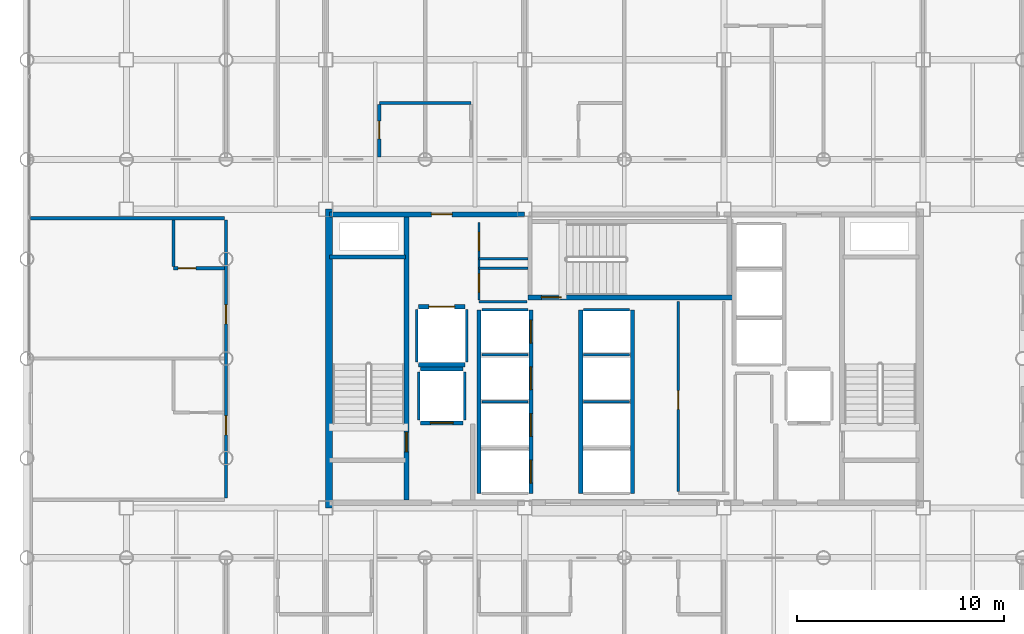
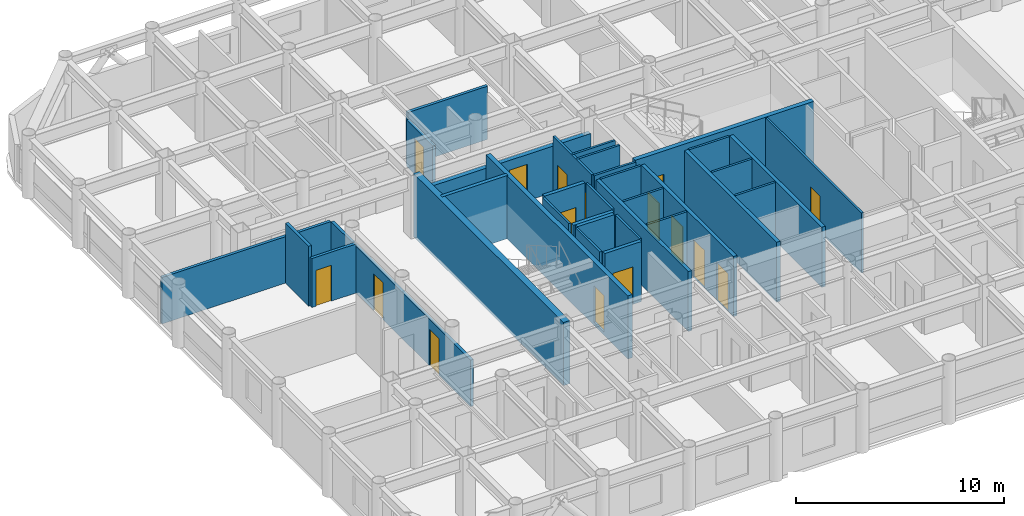
# One storey, part 18 of 22: 34 walls, 16 doors, 16 openings.
"""IFC4 building model written with IfcOpenShell, lengths in metres."""

from ifc_helpers import new_model, si_unit, direction, frame, frame_2d, origin, place, context, subcontext, project, spatial, rectangle, extrude, material, layer, layer_set, type_object, element, fill, save


model = new_model("IFC4")

# Units and contexts
model_context = context("Model", 3, precision=1e-05, world=origin(), true_north=direction((0.0, 1.0)))
body_context = subcontext(model_context, "Body", "Model", "MODEL_VIEW")
ifc_project = project(units=[si_unit("LENGTHUNIT", "METRE"), si_unit("AREAUNIT", "SQUARE_METRE"), si_unit("VOLUMEUNIT", "CUBIC_METRE"), si_unit("PLANEANGLEUNIT", "RADIAN"), si_unit("MASSUNIT", "GRAM", prefix="KILO")], contexts=[model_context])

# Site, building, storey
site_placement = place(None, origin())
site = spatial("IfcSite", under=ifc_project, at=site_placement, CompositionType="ELEMENT")
building_placement = place(site_placement, origin())
building = spatial("IfcBuilding", under=site, at=building_placement, Name="Kallvorn Hotel Tower", CompositionType="ELEMENT")
storey_placement = place(building_placement, frame((0.0, 0.0, 106.300048828125)))
storey = spatial("IfcBuildingStorey", under=building, at=storey_placement, Name="L25", CompositionType="ELEMENT", Elevation=106.300048828125)

# Wall
ifc_material_1 = material(Name="Concrete C50/60", Category="concrete")
ifc_layer_1 = layer(ifc_material_1, 0.35009765625)
ifc_layer_set_1 = layer_set([ifc_layer_1], Name="WL_CORE_350")
wall_type_1 = type_object("IfcWallType", Name="WL_CORE_350", PredefinedType="SHEAR", material=ifc_layer_set_1)
wall_1_placement = place(storey_placement, frame((-14.239990234375, -7.199951171875, -0.179931640625), z_axis=(0.0, 0.0, 1.0), x_axis=(0.0, 1.0, 0.0)))
element("IfcWall", 1, at=wall_1_placement, inside=storey, type_object=wall_type_1, Name="L25 Core West Shear Wall", PredefinedType="SHEAR", context=body_context, shape_type="SweptSolid", body=[
    extrude(rectangle(XDim=14.39990234375, YDim=0.35009765625, at=frame_2d((7.199951171875, 0.0))), origin(), (0.0, 0.0, 1.0), 3.699951171875),
])

# Wall, opening, door
ifc_material_2 = material(Name="Fire-rated double-layer acoustic gypsum drywall EI 60")
ifc_layer_2 = layer(ifc_material_2, 0.159912109375)
ifc_layer_set_2 = layer_set([ifc_layer_2], Name="WL_DEMISE_160")
wall_type_2 = type_object("IfcWallType", Name="WL_DEMISE_160", PredefinedType="PARTITIONING", material=ifc_layer_set_2)
wall_2_placement = place(storey_placement, frame((-21.72998046875, 4.35009765625, 0.0), z_axis=(0.0, 0.0, 1.0), x_axis=(1.0, 0.0, 0.0)))
wall_2 = element("IfcWall", 2, at=wall_2_placement, inside=storey, type_object=wall_type_2, Name="L25 Suite 2502 W Andean Twin Room Partition", PredefinedType="PARTITIONING", context=body_context, shape_type="SweptSolid", body=[
    extrude(rectangle(XDim=2.449951171875, YDim=0.159912109375, at=frame_2d((1.22509765625, 0.0))), origin(), (0.0, 0.0, 1.0), 2.869873046875),
])
opening_1_placement = place(wall_2_placement, frame((0.219970703125, 0.0, 0.0)))
opening_1 = element("IfcOpeningElement", 3, at=opening_1_placement, cuts=wall_2, Name="Opening BD-I", PredefinedType="OPENING", context=body_context, shape_type="SweptSolid", body=[
    extrude(rectangle(XDim=0.860107421875, YDim=2.10009765625, at=frame_2d((0.43017578125, 1.050048828125))), frame((0.0, 0.094970703125, 0.0), z_axis=(0.0, -1.0, 0.0), x_axis=(1.0, 0.0, 0.0)), (0.0, 0.0, 1.0), 0.18994140625),
])
ifc_material_3 = material(Name="Solid-core walnut veneer fire-rated timber door leaf", Category="wood")
door_type_1 = type_object("IfcDoorType", Name="DR_BATH_860x2100", OperationType="NOTDEFINED", PredefinedType="DOOR", material=ifc_material_3)
door_1_placement = place(opening_1_placement, origin())
door_1 = element("IfcDoor", 4, at=door_1_placement, inside=storey, type_object=door_type_1, Name="L25 Suite 2502 En-Suite Bathroom Door", OperationType="SINGLE_SWING_LEFT", OverallHeight=2.10009765625, OverallWidth=0.860107421875, PredefinedType="DOOR", context=body_context, shape_type="SweptSolid", body=[
    extrude(rectangle(XDim=0.860107421875, YDim=2.10009765625, at=frame_2d((0.43017578125, 1.050048828125))), frame((0.0, 0.02490234375, 0.0), z_axis=(0.0, -1.0, 0.0), x_axis=(1.0, 0.0, 0.0)), (0.0, 0.0, 1.0), 0.050048828125),
])
fill(opening_1, door_1)

# Walls
wall_3_placement = place(storey_placement, frame((-28.6298828125, 6.75830078125, 0.0), z_axis=(0.0, 0.0, 1.0), x_axis=(1.0, 0.0, 0.0)))
element("IfcWall", 5, at=wall_3_placement, inside=storey, type_object=wall_type_2, Name="L25 Suite 2502 W Andean Twin Room Partition", PredefinedType="PARTITIONING", context=body_context, shape_type="SweptSolid", body=[
    extrude(rectangle(XDim=9.349853515625, YDim=0.159912109375, at=frame_2d((4.6748046875, 0.0))), origin(), (0.0, 0.0, 1.0), 2.719970703125),
])
wall_4_placement = place(storey_placement, frame((-11.81005859375, 12.320068359375, 0.0), z_axis=(0.0, 0.0, 1.0), x_axis=(1.0, 0.0, 0.0)))
element("IfcWall", 6, at=wall_4_placement, inside=storey, type_object=wall_type_2, Name="L25 Suite 2511 Standard Twin Room Partition", PredefinedType="PARTITIONING", context=body_context, shape_type="SweptSolid", body=[
    extrude(rectangle(XDim=4.420166015625, YDim=0.159912109375, at=frame_2d((2.2099609375, 0.0))), origin(), (0.0, 0.0, 1.0), 3.119873046875),
])
wall_5_placement = place(storey_placement, frame((-21.72998046875, 4.43505859375, 0.0), z_axis=(0.0, 0.0, 1.0), x_axis=(0.0, 1.0, 0.0)))
element("IfcWall", 7, at=wall_5_placement, inside=storey, type_object=wall_type_2, Name="L25 Suite 2502 W Andean Twin Room Partition", PredefinedType="PARTITIONING", context=body_context, shape_type="SweptSolid", body=[
    extrude(rectangle(XDim=2.23828125, YDim=0.159912109375, at=frame_2d((1.119140625, 0.0))), origin(), (0.0, 0.0, 1.0), 3.52001953125),
])

# Wall, openings, doors
wall_6_placement = place(storey_placement, frame((-19.199951171875, -6.715087890625, 0.0), z_axis=(0.0, 0.0, 1.0), x_axis=(0.0, 1.0, 0.0)))
wall_6 = element("IfcWall", 8, at=wall_6_placement, inside=storey, type_object=wall_type_2, Name="L25 Suite 2501 W Loggia King Room Partition", PredefinedType="PARTITIONING", context=body_context, shape_type="SweptSolid", body=[
    extrude(rectangle(XDim=13.388427734375, YDim=0.159912109375, at=frame_2d((6.6943359375, 0.0))), origin(), (0.0, 0.0, 1.0), 2.719970703125),
])
opening_2_placement = place(wall_6_placement, frame((3.034912109375, 0.0, 0.0)))
opening_2 = element("IfcOpeningElement", 9, at=opening_2_placement, cuts=wall_6, Name="Opening GD1", PredefinedType="OPENING", context=body_context, shape_type="SweptSolid", body=[
    extrude(rectangle(XDim=0.919921875, YDim=2.14990234375, at=frame_2d((0.4599609375, 1.074951171875))), frame((0.0, 0.094970703125, 0.0), z_axis=(0.0, -1.0, 0.0), x_axis=(1.0, 0.0, 0.0)), (0.0, 0.0, 1.0), 0.18994140625),
])
opening_3_placement = place(wall_6_placement, frame((8.385009765625, 0.0, 0.0)))
opening_3 = element("IfcOpeningElement", 10, at=opening_3_placement, cuts=wall_6, Name="Opening GD1", PredefinedType="OPENING", context=body_context, shape_type="SweptSolid", body=[
    extrude(rectangle(XDim=0.919921875, YDim=2.14990234375, at=frame_2d((0.4599609375, 1.074951171875))), frame((0.0, 0.094970703125, 0.0), z_axis=(0.0, -1.0, 0.0), x_axis=(1.0, 0.0, 0.0)), (0.0, 0.0, 1.0), 0.18994140625),
])
ifc_material_4 = material(Name="Solid-core walnut veneer fire-rated timber door leaf", Category="wood")
door_type_2 = type_object("IfcDoorType", Name="DR_GUEST_920x2150", OperationType="NOTDEFINED", PredefinedType="DOOR", material=ifc_material_4)
door_2_placement = place(opening_2_placement, origin())
door_2 = element("IfcDoor", 11, at=door_2_placement, inside=storey, type_object=door_type_2, Name="L25 Suite 2501 W Loggia King Room Door", OperationType="SINGLE_SWING_RIGHT", OverallHeight=2.14990234375, OverallWidth=0.919921875, PredefinedType="DOOR", context=body_context, shape_type="SweptSolid", body=[
    extrude(rectangle(XDim=0.919921875, YDim=2.14990234375, at=frame_2d((0.4599609375, 1.074951171875))), frame((0.0, 0.02490234375, 0.0), z_axis=(0.0, -1.0, 0.0), x_axis=(1.0, 0.0, 0.0)), (0.0, 0.0, 1.0), 0.050048828125),
])
fill(opening_2, door_2)
door_3_placement = place(opening_3_placement, origin())
door_3 = element("IfcDoor", 12, at=door_3_placement, inside=storey, type_object=door_type_2, Name="L25 Suite 2502 W Andean Twin Room Door", OperationType="SINGLE_SWING_LEFT", OverallHeight=2.14990234375, OverallWidth=0.919921875, PredefinedType="DOOR", context=body_context, shape_type="SweptSolid", body=[
    extrude(rectangle(XDim=0.919921875, YDim=2.14990234375, at=frame_2d((0.4599609375, 1.074951171875))), frame((0.0, 0.02490234375, 0.0), z_axis=(0.0, -1.0, 0.0), x_axis=(1.0, 0.0, 0.0)), (0.0, 0.0, 1.0), 0.050048828125),
])
fill(opening_3, door_3)

# Wall, opening, door
wall_7_placement = place(storey_placement, frame((-11.81005859375, 9.719970703125, 0.0), z_axis=(0.0, 0.0, 1.0), x_axis=(0.0, 1.0, 0.0)))
wall_7 = element("IfcWall", 13, at=wall_7_placement, inside=storey, type_object=wall_type_2, Name="L25 Suite 2511 Standard Twin Room Partition", PredefinedType="PARTITIONING", context=body_context, shape_type="SweptSolid", body=[
    extrude(rectangle(XDim=2.51513671875, YDim=0.159912109375, at=frame_2d((1.257568359375, 0.0))), origin(), (0.0, 0.0, 1.0), 2.719970703125),
])
opening_4_placement = place(wall_7_placement, frame((0.8701171875, 0.0, 0.0)))
opening_4 = element("IfcOpeningElement", 14, at=opening_4_placement, cuts=wall_7, Name="Opening BD-I", PredefinedType="OPENING", context=body_context, shape_type="SweptSolid", body=[
    extrude(rectangle(XDim=0.860107421875, YDim=2.10009765625, at=frame_2d((0.43017578125, 1.050048828125))), frame((0.0, 0.094970703125, 0.0), z_axis=(0.0, -1.0, 0.0), x_axis=(1.0, 0.0, 0.0)), (0.0, 0.0, 1.0), 0.18994140625),
])
door_4_placement = place(opening_4_placement, origin())
door_4 = element("IfcDoor", 15, at=door_4_placement, inside=storey, type_object=door_type_1, Name="L25 Suite 2511 En-Suite Bathroom Door", OperationType="SINGLE_SWING_LEFT", OverallHeight=2.10009765625, OverallWidth=0.860107421875, PredefinedType="DOOR", context=body_context, shape_type="SweptSolid", body=[
    extrude(rectangle(XDim=0.860107421875, YDim=2.10009765625, at=frame_2d((0.43017578125, 1.050048828125))), frame((0.0, 0.02490234375, 0.0), z_axis=(0.0, -1.0, 0.0), x_axis=(1.0, 0.0, 0.0)), (0.0, 0.0, 1.0), 0.050048828125),
])
fill(opening_4, door_4)

# Wall
ifc_material_5 = material(Name="Concrete C40/50", Category="concrete")
ifc_layer_3 = layer(ifc_material_5, 0.199951171875)
ifc_layer_set_3 = layer_set([ifc_layer_3], Name="WL_HOIST_200")
wall_type_3 = type_object("IfcWallType", Name="WL_HOIST_200", PredefinedType="SOLIDWALL", material=ifc_layer_set_3)
wall_8_placement = place(storey_placement, frame((-14.199951171875, 4.89990234375, -0.179931640625), z_axis=(0.0, 0.0, 1.0), x_axis=(1.0, 0.0, 0.0)))
element("IfcWall", 16, at=wall_8_placement, inside=storey, type_object=wall_type_3, Name="L25 Stair ST1 North Wall", PredefinedType="SOLIDWALL", context=body_context, shape_type="SweptSolid", body=[
    extrude(rectangle(XDim=3.64990234375, YDim=0.199951171875, at=frame_2d((1.824951171875, 0.0))), origin(), (0.0, 0.0, 1.0), 3.699951171875),
])

# Wall, openings, doors
wall_9_placement = place(storey_placement, frame((-4.5, -6.5, 0.0), z_axis=(0.0, 0.0, 1.0), x_axis=(0.0, 1.0, 0.0)))
wall_9 = element("IfcWall", 17, at=wall_9_placement, inside=storey, type_object=wall_type_3, Name="L25 Lift Bank B1 Landing Wall", PredefinedType="SOLIDWALL", context=body_context, shape_type="SweptSolid", body=[
    extrude(rectangle(XDim=8.85009765625, YDim=0.199951171875, at=frame_2d((4.425048828125, 0.0))), origin(), (0.0, 0.0, 1.0), 3.52001953125),
])
opening_5_placement = place(wall_9_placement, frame((0.5, 0.0, 0.0)))
opening_5 = element("IfcOpeningElement", 18, at=opening_5_placement, cuts=wall_9, Name="Opening LD-PL-01", PredefinedType="OPENING", context=body_context, shape_type="SweptSolid", body=[
    extrude(rectangle(XDim=1.10009765625, YDim=2.199951171875, at=frame_2d((0.550048828125, 1.10009765625))), frame((0.0, 0.114990234375, 0.0), z_axis=(0.0, -1.0, 0.0), x_axis=(1.0, 0.0, 0.0)), (0.0, 0.0, 1.0), 0.22998046875),
])
opening_6_placement = place(wall_9_placement, frame((2.75, 0.0, 0.0)))
opening_6 = element("IfcOpeningElement", 19, at=opening_6_placement, cuts=wall_9, Name="Opening LD-PL-02", PredefinedType="OPENING", context=body_context, shape_type="SweptSolid", body=[
    extrude(rectangle(XDim=1.10009765625, YDim=2.199951171875, at=frame_2d((0.550048828125, 1.10009765625))), frame((0.0, 0.114990234375, 0.0), z_axis=(0.0, -1.0, 0.0), x_axis=(1.0, 0.0, 0.0)), (0.0, 0.0, 1.0), 0.22998046875),
])
opening_7_placement = place(wall_9_placement, frame((5.0, 0.0, 0.0)))
opening_7 = element("IfcOpeningElement", 20, at=opening_7_placement, cuts=wall_9, Name="Opening LD-PL-03", PredefinedType="OPENING", context=body_context, shape_type="SweptSolid", body=[
    extrude(rectangle(XDim=1.10009765625, YDim=2.199951171875, at=frame_2d((0.550048828125, 1.10009765625))), frame((0.0, 0.114990234375, 0.0), z_axis=(0.0, -1.0, 0.0), x_axis=(1.0, 0.0, 0.0)), (0.0, 0.0, 1.0), 0.22998046875),
])
opening_8_placement = place(wall_9_placement, frame((7.25, 0.0, 0.0)))
opening_8 = element("IfcOpeningElement", 21, at=opening_8_placement, cuts=wall_9, Name="Opening LD-PL-04", PredefinedType="OPENING", context=body_context, shape_type="SweptSolid", body=[
    extrude(rectangle(XDim=1.10009765625, YDim=2.199951171875, at=frame_2d((0.550048828125, 1.10009765625))), frame((0.0, 0.114990234375, 0.0), z_axis=(0.0, -1.0, 0.0), x_axis=(1.0, 0.0, 0.0)), (0.0, 0.0, 1.0), 0.22998046875),
])
ifc_material_6 = material(Name="Brushed stainless-steel automatic sliding lift landing door", Category="steel")
door_type_3 = type_object("IfcDoorType", Name="LD_PASS_1100x2200", OperationType="SLIDING_TO_LEFT", PredefinedType="DOOR", material=ifc_material_6)
door_5_placement = place(opening_5_placement, origin())
door_5 = element("IfcDoor", 22, at=door_5_placement, inside=storey, type_object=door_type_3, Name="L25 Lift Landing Sliding Door LD-PL-01", OperationType="SLIDING_TO_LEFT", OverallHeight=2.199951171875, OverallWidth=1.10009765625, PredefinedType="DOOR", context=body_context, shape_type="SweptSolid", body=[
    extrude(rectangle(XDim=1.10009765625, YDim=2.199951171875, at=frame_2d((0.550048828125, 1.10009765625))), frame((0.0, 0.02490234375, 0.0), z_axis=(0.0, -1.0, 0.0), x_axis=(1.0, 0.0, 0.0)), (0.0, 0.0, 1.0), 0.050048828125),
])
fill(opening_5, door_5)
door_6_placement = place(opening_6_placement, origin())
door_6 = element("IfcDoor", 23, at=door_6_placement, inside=storey, type_object=door_type_3, Name="L25 Lift Landing Sliding Door LD-PL-02", OperationType="SLIDING_TO_LEFT", OverallHeight=2.199951171875, OverallWidth=1.10009765625, PredefinedType="DOOR", context=body_context, shape_type="SweptSolid", body=[
    extrude(rectangle(XDim=1.10009765625, YDim=2.199951171875, at=frame_2d((0.550048828125, 1.10009765625))), frame((0.0, 0.02490234375, 0.0), z_axis=(0.0, -1.0, 0.0), x_axis=(1.0, 0.0, 0.0)), (0.0, 0.0, 1.0), 0.050048828125),
])
fill(opening_6, door_6)
door_7_placement = place(opening_7_placement, origin())
door_7 = element("IfcDoor", 24, at=door_7_placement, inside=storey, type_object=door_type_3, Name="L25 Lift Landing Sliding Door LD-PL-03", OperationType="SLIDING_TO_LEFT", OverallHeight=2.199951171875, OverallWidth=1.10009765625, PredefinedType="DOOR", context=body_context, shape_type="SweptSolid", body=[
    extrude(rectangle(XDim=1.10009765625, YDim=2.199951171875, at=frame_2d((0.550048828125, 1.10009765625))), frame((0.0, 0.02490234375, 0.0), z_axis=(0.0, -1.0, 0.0), x_axis=(1.0, 0.0, 0.0)), (0.0, 0.0, 1.0), 0.050048828125),
])
fill(opening_7, door_7)
door_8_placement = place(opening_8_placement, origin())
door_8 = element("IfcDoor", 25, at=door_8_placement, inside=storey, type_object=door_type_3, Name="L25 Lift Landing Sliding Door LD-PL-04", OperationType="SLIDING_TO_LEFT", OverallHeight=2.199951171875, OverallWidth=1.10009765625, PredefinedType="DOOR", context=body_context, shape_type="SweptSolid", body=[
    extrude(rectangle(XDim=1.10009765625, YDim=2.199951171875, at=frame_2d((0.550048828125, 1.10009765625))), frame((0.0, 0.02490234375, 0.0), z_axis=(0.0, -1.0, 0.0), x_axis=(1.0, 0.0, 0.0)), (0.0, 0.0, 1.0), 0.050048828125),
])
fill(opening_8, door_8)

# Walls
for number, where, z_axis, x_axis, name in (
    (26, (-7.0, -6.5, 0.0), (0.0, 0.0, 1.0), (0.0, 1.0, 0.0), "L25 Lift Bank B1 Rear Shaft Wall"),
    (27, (-2.10009765625, -6.5, 0.0), (0.0, 0.0, 1.0), (0.0, 1.0, 0.0), "L25 Lift Bank B2 Landing Wall"),
    (28, (0.39990234375, -6.5, 0.0), (0.0, 0.0, 1.0), (0.0, 1.0, 0.0), "L25 Lift Bank B2 Rear Shaft Wall"),
):
    element("IfcWall", number, at=place(storey_placement, frame(where, z_axis=z_axis, x_axis=x_axis)), inside=storey, type_object=wall_type_3, Name=name, PredefinedType="SOLIDWALL", context=body_context, shape_type="SweptSolid", body=[
        extrude(rectangle(XDim=8.85009765625, YDim=0.199951171875, at=frame_2d((4.425048828125, 0.0))), origin(), (0.0, 0.0, 1.0), 3.52001953125),
    ])

# Wall, opening, door
wall_10_placement = place(storey_placement, frame((-9.820068359375, -3.10009765625, 0.0), z_axis=(0.0, 0.0, 1.0), x_axis=(1.0, 0.0, 0.0)))
wall_10 = element("IfcWall", 29, at=wall_10_placement, inside=storey, type_object=wall_type_3, Name="L25 FL-1 Landing Wall", PredefinedType="SOLIDWALL", context=body_context, shape_type="SweptSolid", body=[
    extrude(rectangle(XDim=2.0400390625, YDim=0.199951171875, at=frame_2d((1.02001953125, 0.0))), origin(), (0.0, 0.0, 1.0), 3.52001953125),
])
opening_9_placement = place(wall_10_placement, frame((0.469970703125, 0.0, 0.0)))
opening_9 = element("IfcOpeningElement", 30, at=opening_9_placement, cuts=wall_10, Name="Opening LD-FL-1", PredefinedType="OPENING", context=body_context, shape_type="SweptSolid", body=[
    extrude(rectangle(XDim=1.10009765625, YDim=2.199951171875, at=frame_2d((0.550048828125, 1.10009765625))), frame((0.0, 0.114990234375, 0.0), z_axis=(0.0, -1.0, 0.0), x_axis=(1.0, 0.0, 0.0)), (0.0, 0.0, 1.0), 0.22998046875),
])
door_9_placement = place(opening_9_placement, origin())
door_9 = element("IfcDoor", 31, at=door_9_placement, inside=storey, type_object=door_type_3, Name="L25 Lift Landing Sliding Door LD-FL-1", OperationType="SLIDING_TO_LEFT", OverallHeight=2.199951171875, OverallWidth=1.10009765625, PredefinedType="DOOR", context=body_context, shape_type="SweptSolid", body=[
    extrude(rectangle(XDim=1.10009765625, YDim=2.199951171875, at=frame_2d((0.550048828125, 1.10009765625))), frame((0.0, 0.02490234375, 0.0), z_axis=(0.0, -1.0, 0.0), x_axis=(1.0, 0.0, 0.0)), (0.0, 0.0, 1.0), 0.050048828125),
])
fill(opening_9, door_9)

# Wall
wall_11_placement = place(storey_placement, frame((-9.820068359375, -0.5, 0.0), z_axis=(0.0, 0.0, 1.0), x_axis=(1.0, 0.0, 0.0)))
element("IfcWall", 32, at=wall_11_placement, inside=storey, type_object=wall_type_3, Name="L25 FL-1 Rear Shaft Wall", PredefinedType="SOLIDWALL", context=body_context, shape_type="SweptSolid", body=[
    extrude(rectangle(XDim=2.0400390625, YDim=0.199951171875, at=frame_2d((1.02001953125, 0.0))), origin(), (0.0, 0.0, 1.0), 3.52001953125),
])

# Wall, opening, door
wall_12_placement = place(storey_placement, frame((-9.919921875, 2.5, 0.0), z_axis=(0.0, 0.0, 1.0), x_axis=(1.0, 0.0, 0.0)))
wall_12 = element("IfcWall", 33, at=wall_12_placement, inside=storey, type_object=wall_type_3, Name="L25 SV-01 Landing Wall", PredefinedType="SOLIDWALL", context=body_context, shape_type="SweptSolid", body=[
    extrude(rectangle(XDim=2.239990234375, YDim=0.199951171875, at=frame_2d((1.1201171875, 0.0))), origin(), (0.0, 0.0, 1.0), 3.52001953125),
])
opening_10_placement = place(wall_12_placement, frame((0.4951171875, 0.0, 0.0)))
opening_10 = element("IfcOpeningElement", 34, at=opening_10_placement, cuts=wall_12, Name="Opening LD-SV-01", PredefinedType="OPENING", context=body_context, shape_type="SweptSolid", body=[
    extrude(rectangle(XDim=1.25, YDim=2.25, at=frame_2d((0.625, 1.125))), frame((0.0, 0.114990234375, 0.0), z_axis=(0.0, -1.0, 0.0), x_axis=(1.0, 0.0, 0.0)), (0.0, 0.0, 1.0), 0.22998046875),
])
ifc_material_7 = material(Name="Brushed stainless-steel automatic sliding lift landing door", Category="steel")
door_type_4 = type_object("IfcDoorType", Name="LD_SERV_1250x2250", OperationType="SLIDING_TO_LEFT", PredefinedType="DOOR", material=ifc_material_7)
door_10_placement = place(opening_10_placement, origin())
door_10 = element("IfcDoor", 35, at=door_10_placement, inside=storey, type_object=door_type_4, Name="L25 Lift Landing Sliding Door LD-SV-01", OperationType="SLIDING_TO_LEFT", OverallHeight=2.25, OverallWidth=1.25, PredefinedType="DOOR", context=body_context, shape_type="SweptSolid", body=[
    extrude(rectangle(XDim=1.25, YDim=2.25, at=frame_2d((0.625, 1.125))), frame((0.0, 0.02490234375, 0.0), z_axis=(0.0, -1.0, 0.0), x_axis=(1.0, 0.0, 0.0)), (0.0, 0.0, 1.0), 0.050048828125),
])
fill(opening_10, door_10)

# Walls
wall_13_placement = place(storey_placement, frame((-9.919921875, -0.300048828125, 0.0), z_axis=(0.0, 0.0, 1.0), x_axis=(1.0, 0.0, 0.0)))
element("IfcWall", 36, at=wall_13_placement, inside=storey, type_object=wall_type_3, Name="L25 SV-01 Rear Shaft Wall", PredefinedType="SOLIDWALL", context=body_context, shape_type="SweptSolid", body=[
    extrude(rectangle(XDim=2.239990234375, YDim=0.199951171875, at=frame_2d((1.1201171875, 0.0))), origin(), (0.0, 0.0, 1.0), 3.52001953125),
])
ifc_material_8 = material(Name="Fire-rated double-layer acoustic gypsum drywall EI 60")
ifc_layer_4 = layer(ifc_material_8, 0.1201171875)
ifc_layer_set_4 = layer_set([ifc_layer_4], Name="WL_INT_120")
wall_type_4 = type_object("IfcWallType", Name="WL_INT_120", PredefinedType="PARTITIONING", material=ifc_layer_set_4)
for number, where, z_axis, x_axis, name in (
    (37, (-6.860107421875, -2.074951171875, 0.0), (0.0, 0.0, 1.0), (1.0, 0.0, 0.0), "L25 PL-02 Hoistway Divider"),
    (38, (-6.860107421875, 0.175048828125, 0.0), (0.0, 0.0, 1.0), (1.0, 0.0, 0.0), "L25 PL-03 Hoistway Divider"),
    (39, (-6.860107421875, 2.35009765625, 0.0), (0.0, 0.0, 1.0), (1.0, 0.0, 0.0), "L25 PL-04 Hoistway Divider"),
):
    element("IfcWall", number, at=place(storey_placement, frame(where, z_axis=z_axis, x_axis=x_axis)), inside=storey, type_object=wall_type_4, Name=name, PredefinedType="PARTITIONING", context=body_context, shape_type="SweptSolid", body=[
        extrude(rectangle(XDim=2.22021484375, YDim=0.1201171875, at=frame_2d((1.110107421875, 0.0))), origin(), (0.0, 0.0, 1.0), 3.52001953125),
    ])
for number, where, z_axis, x_axis, name in (
    (40, (-1.9599609375, -2.074951171875, 0.0), (0.0, 0.0, 1.0), (1.0, 0.0, 0.0), "L25 PL-06 Hoistway Divider"),
    (41, (-1.9599609375, 0.175048828125, 0.0), (0.0, 0.0, 1.0), (1.0, 0.0, 0.0), "L25 PL-07 Hoistway Divider"),
    (42, (-1.9599609375, 2.35009765625, 0.0), (0.0, 0.0, 1.0), (1.0, 0.0, 0.0), "L25 PL-08 Hoistway Divider"),
):
    element("IfcWall", number, at=place(storey_placement, frame(where, z_axis=z_axis, x_axis=x_axis)), inside=storey, type_object=wall_type_4, Name=name, PredefinedType="PARTITIONING", context=body_context, shape_type="SweptSolid", body=[
        extrude(rectangle(XDim=2.219970703125, YDim=0.1201171875, at=frame_2d((1.10986328125, 0.0))), origin(), (0.0, 0.0, 1.0), 3.52001953125),
    ])
for number, where, z_axis, x_axis, name in (
    (43, (-9.89990234375, -2.9599609375, 0.0), (0.0, 0.0, 1.0), (0.0, 1.0, 0.0), "L25 FL-1 West Shaft Wall"),
    (44, (-7.699951171875, -2.9599609375, 0.0), (0.0, 0.0, 1.0), (0.0, 1.0, 0.0), "L25 FL-1 East Shaft Wall"),
):
    element("IfcWall", number, at=place(storey_placement, frame(where, z_axis=z_axis, x_axis=x_axis)), inside=storey, type_object=wall_type_4, Name=name, PredefinedType="PARTITIONING", context=body_context, shape_type="SweptSolid", body=[
        extrude(rectangle(XDim=2.320068359375, YDim=0.1201171875, at=frame_2d((1.16015625, 0.0))), origin(), (0.0, 0.0, 1.0), 3.52001953125),
    ])
for number, where, z_axis, x_axis, name in (
    (45, (-10.0, -0.159912109375, 0.0), (0.0, 0.0, 1.0), (0.0, 1.0, 0.0), "L25 SV-01 West Shaft Wall"),
    (46, (-7.60009765625, -0.159912109375, 0.0), (0.0, 0.0, 1.0), (0.0, 1.0, 0.0), "L25 SV-01 East Shaft Wall"),
):
    element("IfcWall", number, at=place(storey_placement, frame(where, z_axis=z_axis, x_axis=x_axis)), inside=storey, type_object=wall_type_4, Name=name, PredefinedType="PARTITIONING", context=body_context, shape_type="SweptSolid", body=[
        extrude(rectangle(XDim=2.52001953125, YDim=0.1201171875, at=frame_2d((1.260009765625, 0.0))), origin(), (0.0, 0.0, 1.0), 3.52001953125),
    ])
wall_14_placement = place(storey_placement, frame((-7.0, 2.75, 0.0), z_axis=(0.0, 0.0, 1.0), x_axis=(1.0, 0.0, 0.0)))
element("IfcWall", 47, at=wall_14_placement, inside=storey, type_object=wall_type_4, Name="L25 Core Ice and Vending Pantry Partition", PredefinedType="PARTITIONING", context=body_context, shape_type="SweptSolid", body=[
    extrude(rectangle(XDim=2.31005859375, YDim=0.1201171875, at=frame_2d((1.155029296875, 0.0))), origin(), (0.0, 0.0, 1.0), 3.52001953125),
])
for number, where, z_axis, x_axis, name in (
    (48, (-7.0, 4.35009765625, 0.0), (0.0, 0.0, 1.0), (1.0, 0.0, 0.0), "L25 Core Ice and Vending Pantry Partition"),
    (49, (-7.0, 4.800048828125, 0.0), (0.0, 0.0, 1.0), (1.0, 0.0, 0.0), "L25 Core Linen Supply Closet Partition"),
):
    element("IfcWall", number, at=place(storey_placement, frame(where, z_axis=z_axis, x_axis=x_axis)), inside=storey, type_object=wall_type_4, Name=name, PredefinedType="PARTITIONING", context=body_context, shape_type="SweptSolid", body=[
        extrude(rectangle(XDim=2.35009765625, YDim=0.1201171875, at=frame_2d((1.175048828125, 0.0))), origin(), (0.0, 0.0, 1.0), 3.52001953125),
    ])

# Wall, openings, doors
wall_15_placement = place(storey_placement, frame((-7.0048828125, 2.8349609375, 0.0), z_axis=(0.0, 0.0, 1.0), x_axis=(0.0, 1.0, 0.0)))
wall_15 = element("IfcWall", 50, at=wall_15_placement, inside=storey, type_object=wall_type_4, Name="L25 Core Ice and Vending Pantry Partition", PredefinedType="PARTITIONING", context=body_context, shape_type="SweptSolid", body=[
    extrude(rectangle(XDim=3.715087890625, YDim=0.1201171875, at=frame_2d((1.857421875, 0.0))), origin(), (0.0, 0.0, 1.0), 3.52001953125),
])
opening_11_placement = place(wall_15_placement, frame((0.364990234375, 0.0, 0.0)))
opening_11 = element("IfcOpeningElement", 51, at=opening_11_placement, cuts=wall_15, Name="Opening SVD1", PredefinedType="OPENING", context=body_context, shape_type="SweptSolid", body=[
    extrude(rectangle(XDim=0.89990234375, YDim=2.10009765625, at=frame_2d((0.449951171875, 1.050048828125))), frame((0.0, 0.074951171875, 0.0), z_axis=(0.0, -1.0, 0.0), x_axis=(1.0, 0.0, 0.0)), (0.0, 0.0, 1.0), 0.150146484375),
])
opening_12_placement = place(wall_15_placement, frame((2.364990234375, 0.0, 0.0)))
opening_12 = element("IfcOpeningElement", 52, at=opening_12_placement, cuts=wall_15, Name="Opening SVD1", PredefinedType="OPENING", context=body_context, shape_type="SweptSolid", body=[
    extrude(rectangle(XDim=0.89990234375, YDim=2.10009765625, at=frame_2d((0.449951171875, 1.050048828125))), frame((0.0, 0.074951171875, 0.0), z_axis=(0.0, -1.0, 0.0), x_axis=(1.0, 0.0, 0.0)), (0.0, 0.0, 1.0), 0.150146484375),
])
ifc_material_9 = material(Name="Galvanised painted steel fire-rated door assembly", Category="steel")
door_type_5 = type_object("IfcDoorType", Name="DR_SERV_900x2100", OperationType="NOTDEFINED", PredefinedType="DOOR", material=ifc_material_9)
door_11_placement = place(opening_11_placement, origin())
door_11 = element("IfcDoor", 53, at=door_11_placement, inside=storey, type_object=door_type_5, Name="L25 Core Ice and Vending Pantry Door", OperationType="SINGLE_SWING_RIGHT", OverallHeight=2.10009765625, OverallWidth=0.89990234375, PredefinedType="DOOR", context=body_context, shape_type="SweptSolid", body=[
    extrude(rectangle(XDim=0.89990234375, YDim=2.10009765625, at=frame_2d((0.449951171875, 1.050048828125))), frame((0.0, 0.02490234375, 0.0), z_axis=(0.0, -1.0, 0.0), x_axis=(1.0, 0.0, 0.0)), (0.0, 0.0, 1.0), 0.050048828125),
])
fill(opening_11, door_11)
door_12_placement = place(opening_12_placement, origin())
door_12 = element("IfcDoor", 54, at=door_12_placement, inside=storey, type_object=door_type_5, Name="L25 Core Linen Supply Closet Door", OperationType="SINGLE_SWING_RIGHT", OverallHeight=2.10009765625, OverallWidth=0.89990234375, PredefinedType="DOOR", context=body_context, shape_type="SweptSolid", body=[
    extrude(rectangle(XDim=0.89990234375, YDim=2.10009765625, at=frame_2d((0.449951171875, 1.050048828125))), frame((0.0, 0.02490234375, 0.0), z_axis=(0.0, -1.0, 0.0), x_axis=(1.0, 0.0, 0.0)), (0.0, 0.0, 1.0), 0.050048828125),
])
fill(opening_12, door_12)

# Wall, opening, door
wall_16_placement = place(storey_placement, frame((2.59326171875, -6.4150390625, 0.0), z_axis=(0.0, 0.0, 1.0), x_axis=(0.0, 1.0, 0.0)))
wall_16 = element("IfcWall", 55, at=wall_16_placement, inside=storey, type_object=wall_type_4, Name="L25 East Core Consolidated Linen and Supply Store Partition", PredefinedType="PARTITIONING", context=body_context, shape_type="SweptSolid", body=[
    extrude(rectangle(XDim=9.1650390625, YDim=0.1201171875, at=frame_2d((4.58251953125, 0.0))), origin(), (0.0, 0.0, 1.0), 3.52001953125),
])
opening_13_placement = place(wall_16_placement, frame((3.965087890625, 0.0, 0.0)))
opening_13 = element("IfcOpeningElement", 56, at=opening_13_placement, cuts=wall_16, Name="Opening SVD1", PredefinedType="OPENING", context=body_context, shape_type="SweptSolid", body=[
    extrude(rectangle(XDim=0.89990234375, YDim=2.10009765625, at=frame_2d((0.449951171875, 1.050048828125))), frame((0.0, 0.074951171875, 0.0), z_axis=(0.0, -1.0, 0.0), x_axis=(1.0, 0.0, 0.0)), (0.0, 0.0, 1.0), 0.150146484375),
])
door_13_placement = place(opening_13_placement, origin())
door_13 = element("IfcDoor", 57, at=door_13_placement, inside=storey, type_object=door_type_5, Name="L25 East Core Consolidated Linen and Supply Store Door", OperationType="SINGLE_SWING_LEFT", OverallHeight=2.10009765625, OverallWidth=0.89990234375, PredefinedType="DOOR", context=body_context, shape_type="SweptSolid", body=[
    extrude(rectangle(XDim=0.89990234375, YDim=2.10009765625, at=frame_2d((0.449951171875, 1.050048828125))), frame((0.0, 0.02490234375, 0.0), z_axis=(0.0, -1.0, 0.0), x_axis=(1.0, 0.0, 0.0)), (0.0, 0.0, 1.0), 0.050048828125),
])
fill(opening_13, door_13)

ifc_material_10 = material(Name="Concrete C40/50", Category="concrete")
ifc_layer_5 = layer(ifc_material_10, 0.25)
ifc_layer_set_5 = layer_set([ifc_layer_5], Name="WL_SHAFT_250")
wall_type_5 = type_object("IfcWallType", Name="WL_SHAFT_250", PredefinedType="SOLIDWALL", material=ifc_layer_set_5)
wall_17_placement = place(storey_placement, frame((-14.199951171875, 6.949951171875, 0.0), z_axis=(0.0, 0.0, 1.0), x_axis=(1.0, 0.0, 0.0)))
wall_17 = element("IfcWall", 58, at=wall_17_placement, inside=storey, type_object=wall_type_5, Name="L25 Core North-West Wall", PredefinedType="SOLIDWALL", context=body_context, shape_type="SweptSolid", body=[
    extrude(rectangle(XDim=9.39990234375, YDim=0.25, at=frame_2d((4.699951171875, 0.0))), origin(), (0.0, 0.0, 1.0), 2.719970703125),
])
opening_14_placement = place(wall_17_placement, frame((4.89990234375, 0.0, 0.0)))
opening_14 = element("IfcOpeningElement", 59, at=opening_14_placement, cuts=wall_17, Name="Opening FD1", PredefinedType="OPENING", context=body_context, shape_type="SweptSolid", body=[
    extrude(rectangle(XDim=1.0, YDim=2.14990234375, at=frame_2d((0.5, 1.074951171875))), frame((0.0, 0.139892578125, 0.0), z_axis=(0.0, -1.0, 0.0), x_axis=(1.0, 0.0, 0.0)), (0.0, 0.0, 1.0), 0.280029296875),
])
ifc_material_11 = material(Name="Galvanised painted steel fire-rated door assembly", Category="steel")
door_type_6 = type_object("IfcDoorType", Name="DR_FFL_1000x2150", OperationType="NOTDEFINED", PredefinedType="DOOR", material=ifc_material_11)
door_14_placement = place(opening_14_placement, origin())
door_14 = element("IfcDoor", 60, at=door_14_placement, inside=storey, type_object=door_type_6, Name="L25 Service Lift Lobby Door", OperationType="SINGLE_SWING_RIGHT", OverallHeight=2.14990234375, OverallWidth=1.0, PredefinedType="DOOR", context=body_context, shape_type="SweptSolid", body=[
    extrude(rectangle(XDim=1.0, YDim=2.14990234375, at=frame_2d((0.5, 1.074951171875))), frame((0.0, 0.02490234375, 0.0), z_axis=(0.0, -1.0, 0.0), x_axis=(1.0, 0.0, 0.0)), (0.0, 0.0, 1.0), 0.050048828125),
])
fill(opening_14, door_14)

wall_18_placement = place(storey_placement, frame((-10.5, -6.820068359375, -0.179931640625), z_axis=(0.0, 0.0, 1.0), x_axis=(0.0, 1.0, 0.0)))
wall_18 = element("IfcWall", 61, at=wall_18_placement, inside=storey, type_object=wall_type_5, Name="L25 Stair ST1 Shaft Wall", PredefinedType="SOLIDWALL", context=body_context, shape_type="SweptSolid", body=[
    extrude(rectangle(XDim=13.64013671875, YDim=0.25, at=frame_2d((6.820068359375, 0.0))), origin(), (0.0, 0.0, 1.0), 3.699951171875),
])
opening_15_placement = place(wall_18_placement, frame((2.320068359375, 0.0, 0.179931640625)))
opening_15 = element("IfcOpeningElement", 62, at=opening_15_placement, cuts=wall_18, Name="Opening SD1", PredefinedType="OPENING", context=body_context, shape_type="SweptSolid", body=[
    extrude(rectangle(XDim=0.949951171875, YDim=2.14990234375, at=frame_2d((0.47509765625, 1.074951171875))), frame((0.0, 0.139892578125, 0.0), z_axis=(0.0, -1.0, 0.0), x_axis=(1.0, 0.0, 0.0)), (0.0, 0.0, 1.0), 0.280029296875),
])
ifc_material_12 = material(Name="Galvanised painted steel fire-rated door assembly", Category="steel")
door_type_7 = type_object("IfcDoorType", Name="DR_STAIR_950x2150", OperationType="NOTDEFINED", PredefinedType="DOOR", material=ifc_material_12)
door_15_placement = place(opening_15_placement, origin())
door_15 = element("IfcDoor", 63, at=door_15_placement, inside=storey, type_object=door_type_7, Name="L25 Exit Stair ST1 Fire Door", OperationType="SINGLE_SWING_LEFT", OverallHeight=2.14990234375, OverallWidth=0.949951171875, PredefinedType="DOOR", context=body_context, shape_type="SweptSolid", body=[
    extrude(rectangle(XDim=0.949951171875, YDim=2.14990234375, at=frame_2d((0.47509765625, 1.074951171875))), frame((0.0, 0.02490234375, 0.0), z_axis=(0.0, -1.0, 0.0), x_axis=(1.0, 0.0, 0.0)), (0.0, 0.0, 1.0), 0.050048828125),
])
fill(opening_15, door_15)

wall_19_placement = place(storey_placement, frame((-4.64990234375, 2.949951171875, -0.179931640625), z_axis=(0.0, 0.0, 1.0), x_axis=(1.0, 0.0, 0.0)))
wall_19 = element("IfcWall", 64, at=wall_19_placement, inside=storey, type_object=wall_type_5, Name="L25 Stair ST3 Shaft South Wall", PredefinedType="SOLIDWALL", context=body_context, shape_type="SweptSolid", body=[
    extrude(rectangle(XDim=9.89990234375, YDim=0.25, at=frame_2d((4.949951171875, 0.0))), origin(), (0.0, 0.0, 1.0), 3.699951171875),
])
opening_16_placement = place(wall_19_placement, frame((0.64990234375, 0.0, 0.179931640625)))
opening_16 = element("IfcOpeningElement", 65, at=opening_16_placement, cuts=wall_19, Name="Opening SD1", PredefinedType="OPENING", context=body_context, shape_type="SweptSolid", body=[
    extrude(rectangle(XDim=0.949951171875, YDim=2.14990234375, at=frame_2d((0.47509765625, 1.074951171875))), frame((0.0, 0.139892578125, 0.0), z_axis=(0.0, -1.0, 0.0), x_axis=(1.0, 0.0, 0.0)), (0.0, 0.0, 1.0), 0.280029296875),
])
door_16_placement = place(opening_16_placement, origin())
door_16 = element("IfcDoor", 66, at=door_16_placement, inside=storey, type_object=door_type_7, Name="L25 Exit Stair ST3 Fire Door", OperationType="SINGLE_SWING_LEFT", OverallHeight=2.14990234375, OverallWidth=0.949951171875, PredefinedType="DOOR", context=body_context, shape_type="SweptSolid", body=[
    extrude(rectangle(XDim=0.949951171875, YDim=2.14990234375, at=frame_2d((0.47509765625, 1.074951171875))), frame((0.0, 0.02490234375, 0.0), z_axis=(0.0, -1.0, 0.0), x_axis=(1.0, 0.0, 0.0)), (0.0, 0.0, 1.0), 0.050048828125),
])
fill(opening_16, door_16)

save(model, "model.ifc")
